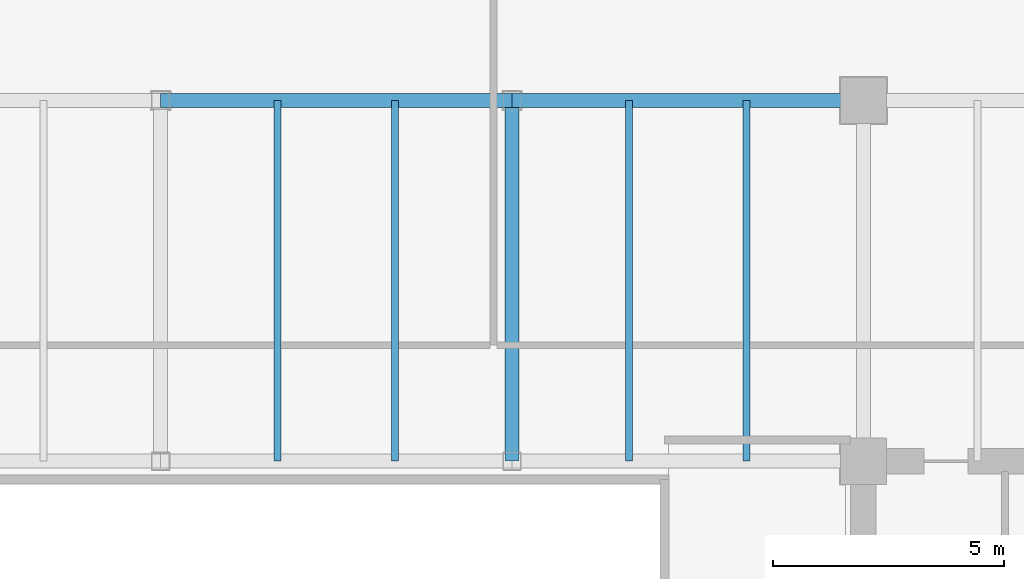
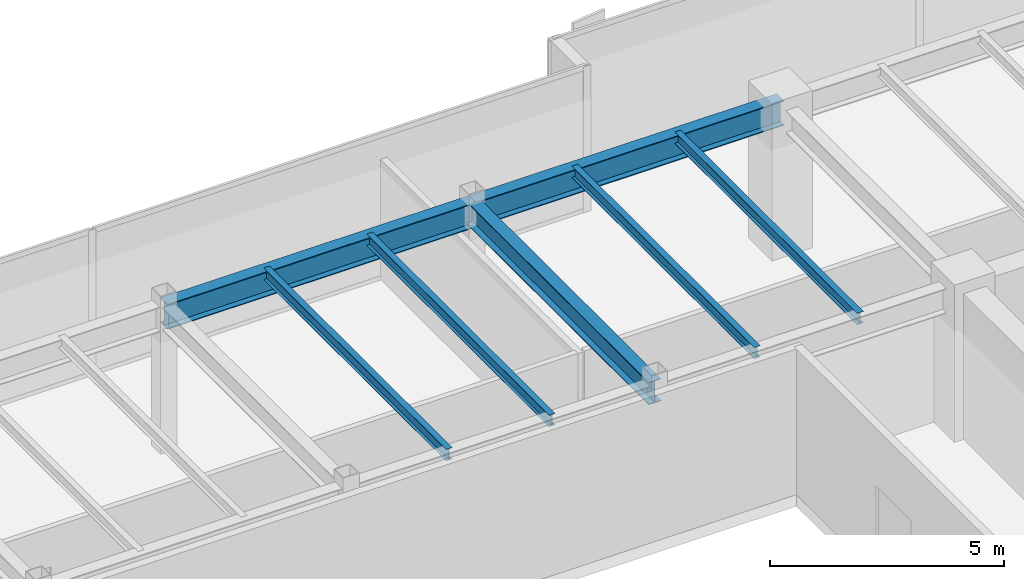
# One storey, part 18 of 36: 7 beams.
"""IFC4 building model written with IfcOpenShell, lengths in metres."""

from ifc_helpers import new_model, si_unit, direction, frame, origin, origin_2d, place, context, subcontext, project, spatial, i_section, extrude, source, transform, mapped, material, material_profile, profile_set, type_object, type_shapes, element, save


model = new_model("IFC4")

# Units and contexts
model_context = context("Model", 3, precision=1e-05, world=origin(), true_north=direction((0.0, 1.0)))
body_context = subcontext(model_context, "Body", "Model", "MODEL_VIEW")
ifc_project = project(units=[si_unit("LENGTHUNIT", "METRE"), si_unit("AREAUNIT", "SQUARE_METRE"), si_unit("VOLUMEUNIT", "CUBIC_METRE"), si_unit("PLANEANGLEUNIT", "RADIAN"), si_unit("MASSUNIT", "GRAM", prefix="KILO")], contexts=[model_context])

# Site, building, storey
site_placement = place(None, origin())
site = spatial("IfcSite", under=ifc_project, at=site_placement, CompositionType="ELEMENT")
building_placement = place(site_placement, origin())
building = spatial("IfcBuilding", under=site, at=building_placement, Name="Haelvirn Gate Laboratories", CompositionType="ELEMENT")
storey_placement = place(building_placement, frame((0.0, 0.0, 242.39990234375)))
storey = spatial("IfcBuildingStorey", under=building, at=storey_placement, Name="L58", CompositionType="ELEMENT", Elevation=242.39990234375)

# Beams
ifc_material = material(Name="Steel SM355", Category="steel")
ifc_material_profile_1 = material_profile(ifc_material, i_section(OverallWidth=0.14990234375, OverallDepth=0.300048828125, WebThickness=0.006591796875, FlangeThickness=0.009033203125, at=origin_2d()), Name="H-300x150x6.5x9")
ifc_profile_set_1 = profile_set([ifc_material_profile_1], Name="Steel SM355")
beam_type_1 = type_object("IfcBeamType", Name="BM-J-300", PredefinedType="JOIST", material=ifc_profile_set_1)
shared_shape_1 = source(origin(), body_context, "Body", "SweptSolid", [
    extrude(i_section(OverallWidth=0.14990234375, OverallDepth=0.300048828125, WebThickness=0.006591796875, FlangeThickness=0.009033203125, at=origin_2d()), origin(), (0.0, 0.0, 1.0), 7.800048828125),
])
type_shapes(beam_type_1, [shared_shape_1])
for number, where, z_axis, x_axis, name in (
    (1, (39.929931640625, 33.800048828125, 3.650146484375), (0.0, 1.0, 0.0), (-1.0, 0.0, 0.0), "L58 Composite Lab Joist North X39.93"),
    (2, (42.469970703125, 33.800048828125, 3.650146484375), (0.0, 1.0, 0.0), (-1.0, 0.0, 0.0), "L58 Composite Lab Joist North X42.47"),
    (3, (47.530029296875, 33.800048828125, 3.650146484375), (0.0, 1.0, 0.0), (-1.0, 0.0, 0.0), "L58 Composite Lab Joist North X47.53"),
    (4, (50.070068359375, 33.800048828125, 3.650146484375), (0.0, 1.0, 0.0), (-1.0, 0.0, 0.0), "L58 Composite Lab Joist North X50.07"),
):
    element("IfcBeam", number, at=place(storey_placement, frame(where, z_axis=z_axis, x_axis=x_axis)), inside=storey, type_object=beam_type_1, Name=name, PredefinedType="JOIST", context=body_context, shape_type="MappedRepresentation", body=[
        mapped(shared_shape_1, transform((0.0, 0.0, 0.0), scale=1.0)),
    ])
ifc_material_profile_2 = material_profile(ifc_material, i_section(OverallWidth=0.300048828125, OverallDepth=0.587890625, WebThickness=0.011962890625, FlangeThickness=0.02001953125, at=origin_2d()), Name="H-588x300x12x20")
ifc_profile_set_2 = profile_set([ifc_material_profile_2], Name="Steel SM355")
beam_type_2 = type_object("IfcBeamType", Name="BM-G-588", PredefinedType="BEAM", material=ifc_profile_set_2)
shared_shape_2 = source(origin(), body_context, "Body", "SweptSolid", [
    extrude(i_section(OverallWidth=0.300048828125, OverallDepth=0.587890625, WebThickness=0.011962890625, FlangeThickness=0.02001953125, at=origin_2d()), origin(), (0.0, 0.0, 1.0), 7.800048828125),
])
type_shapes(beam_type_2, [shared_shape_2])
beam_placement = place(storey_placement, frame((45.0, 33.800048828125, 3.506103515625), z_axis=(0.0, 1.0, 0.0), x_axis=(-1.0, 0.0, 0.0)))
element("IfcBeam", 5, at=beam_placement, inside=storey, type_object=beam_type_2, Name="L58 Frame Girder X45.0 (33.8-41.6)", PredefinedType="BEAM", context=body_context, shape_type="MappedRepresentation", body=[
    mapped(shared_shape_2, transform((0.0, 0.0, 0.0), scale=1.0)),
])
ifc_material_profile_3 = material_profile(ifc_material, i_section(OverallWidth=0.300048828125, OverallDepth=0.64990234375, WebThickness=0.012939453125, FlangeThickness=0.02197265625, at=origin_2d()), Name="H-650x300x13x22")
ifc_profile_set_3 = profile_set([ifc_material_profile_3], Name="Steel SM355")
beam_type_3 = type_object("IfcBeamType", Name="BM-G-650", PredefinedType="BEAM", material=ifc_profile_set_3)
shared_shape_3 = source(origin(), body_context, "Body", "SweptSolid", [
    extrude(i_section(OverallWidth=0.300048828125, OverallDepth=0.64990234375, WebThickness=0.012939453125, FlangeThickness=0.02197265625, at=origin_2d()), origin(), (0.0, 0.0, 1.0), 7.60009765625),
])
type_shapes(beam_type_3, [shared_shape_3])
for number, where, z_axis, x_axis, name in (
    (6, (37.39990234375, 41.60009765625, 3.47509765625), (1.0, 0.0, 0.0), (0.0, 1.0, 0.0), "L58 Primary Girder Y41.6 (37.4-45.0)"),
    (7, (45.0, 41.60009765625, 3.47509765625), (1.0, 0.0, 0.0), (0.0, 1.0, 0.0), "L58 Primary Girder Y41.6 (45.0-52.6)"),
):
    element("IfcBeam", number, at=place(storey_placement, frame(where, z_axis=z_axis, x_axis=x_axis)), inside=storey, type_object=beam_type_3, Name=name, PredefinedType="BEAM", context=body_context, shape_type="MappedRepresentation", body=[
        mapped(shared_shape_3, transform((0.0, 0.0, 0.0), scale=1.0)),
    ])

save(model, "model.ifc")
